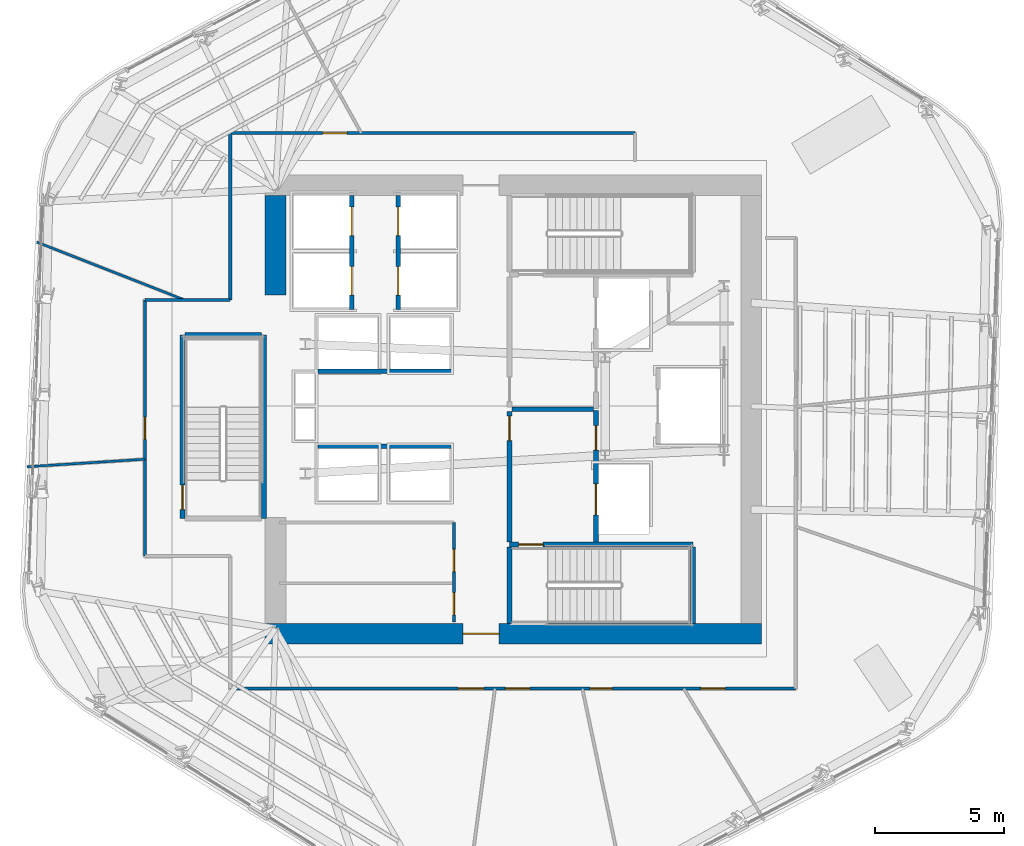
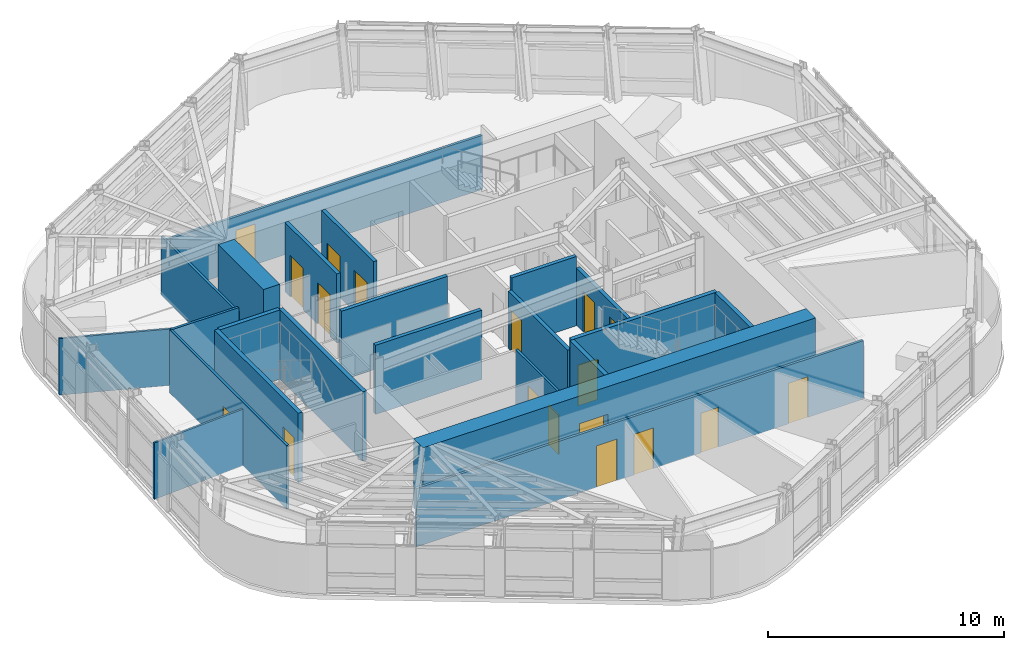
# One storey, part 7 of 14: 23 walls, 18 doors, 18 openings.
"""IFC4 building model written with IfcOpenShell, lengths in metres."""

from ifc_helpers import new_model, si_unit, direction, frame, frame_2d, origin, place, context, subcontext, project, spatial, rectangle, extrude, material, layer, layer_set, type_object, element, fill, save


model = new_model("IFC4")

# Units and contexts
model_context = context("Model", 3, precision=1e-05, world=origin(), true_north=direction((0.0, 1.0)))
body_context = subcontext(model_context, "Body", "Model", "MODEL_VIEW")
ifc_project = project(units=[si_unit("LENGTHUNIT", "METRE"), si_unit("AREAUNIT", "SQUARE_METRE"), si_unit("VOLUMEUNIT", "CUBIC_METRE"), si_unit("PLANEANGLEUNIT", "RADIAN"), si_unit("MASSUNIT", "GRAM", prefix="KILO")], contexts=[model_context])

# Site, building, storey
site_placement = place(None, origin())
site = spatial("IfcSite", under=ifc_project, at=site_placement, CompositionType="ELEMENT")
building_placement = place(site_placement, origin())
building = spatial("IfcBuilding", under=site, at=building_placement, Name="Valkerne Bourse Tower", CompositionType="ELEMENT")
storey_placement = place(building_placement, frame((0.0, 0.0, 143.800048828125)))
storey = spatial("IfcBuildingStorey", under=building, at=storey_placement, Name="L36", CompositionType="ELEMENT", Elevation=143.800048828125)

# Wall, opening, door
ifc_material_1 = material(Name="Concrete C55/67", Category="concrete")
ifc_layer_1 = layer(ifc_material_1, 0.800048828125)
ifc_layer_set_1 = layer_set([ifc_layer_1], Name="Concrete C55/67")
wall_type_1 = type_object("IfcWallType", Name="W-CORE-800", PredefinedType="SHEAR", material=ifc_layer_set_1)
wall_1_placement = place(storey_placement, frame((37.199951171875, 18.199951171875, 0.0), z_axis=(0.0, 0.0, 1.0), x_axis=(1.0, 0.0, 0.0)))
wall_1 = element("IfcWall", 1, at=wall_1_placement, inside=storey, type_object=wall_type_1, Name="L36 Core Shear Wall SOUTH", PredefinedType="SHEAR", context=body_context, shape_type="SweptSolid", body=[
    extrude(rectangle(XDim=19.199951171875, YDim=0.800048828125, at=frame_2d((9.60009765625, 0.0))), origin(), (0.0, 0.0, 1.0), 3.579833984375),
])
opening_1_placement = place(wall_1_placement, frame((7.64990234375, 0.0, 0.0)))
opening_1 = element("IfcOpeningElement", 2, at=opening_1_placement, cuts=wall_1, Name="Opening D-PL-1400", PredefinedType="OPENING", context=body_context, shape_type="SweptSolid", body=[
    extrude(rectangle(XDim=1.39990234375, YDim=2.14990234375, at=frame_2d((0.699951171875, 1.074951171875))), frame((0.0, 0.409912109375, 0.0), z_axis=(0.0, -1.0, 0.0), x_axis=(1.0, 0.0, 0.0)), (0.0, 0.0, 1.0), 0.820068359375),
])
ifc_material_2 = material(Name="Galvanised Painted Steel", Category="steel")
door_type_1 = type_object("IfcDoorType", Name="DR-PLT-1400", OperationType="DOUBLE_DOOR_SINGLE_SWING", PredefinedType="DOOR", material=ifc_material_2)
door_1_placement = place(opening_1_placement, origin())
door_1 = element("IfcDoor", 3, at=door_1_placement, inside=storey, type_object=door_type_1, Name="L36 South Passenger Lift Hall Fire Door", OperationType="DOUBLE_DOOR_SINGLE_SWING", OverallHeight=2.14990234375, OverallWidth=1.39990234375, PredefinedType="DOOR", context=body_context, shape_type="SweptSolid", body=[
    extrude(rectangle(XDim=1.39990234375, YDim=2.14990234375, at=frame_2d((0.699951171875, 1.074951171875))), frame((0.0, 0.02490234375, 0.0), z_axis=(0.0, -1.0, 0.0), x_axis=(1.0, 0.0, 0.0)), (0.0, 0.0, 1.0), 0.050048828125),
])
fill(opening_1, door_1)

# Wall
wall_2_placement = place(storey_placement, frame((37.60009765625, 31.300048828125, 0.0), z_axis=(0.0, 0.0, 1.0), x_axis=(0.0, 1.0, 0.0)))
element("IfcWall", 4, at=wall_2_placement, inside=storey, type_object=wall_type_1, Name="L36 Core Shear Wall WEST-N", PredefinedType="SHEAR", context=body_context, shape_type="SweptSolid", body=[
    extrude(rectangle(XDim=3.849853515625, YDim=0.800048828125, at=frame_2d((1.9248046875, 0.0))), origin(), (0.0, 0.0, 1.0), 3.579833984375),
])

# Wall, openings, doors
ifc_material_3 = material(Name="Gypsum Board Steel-Stud Partition", Category="steel")
ifc_layer_2 = layer(ifc_material_3, 0.117919921875)
ifc_layer_set_2 = layer_set([ifc_layer_2], Name="Gypsum Board Steel-Stud Partition")
wall_type_2 = type_object("IfcWallType", Name="W-CORR-140", PredefinedType="PARTITIONING", material=ifc_layer_set_2)
wall_3_placement = place(storey_placement, frame((44.5, 18.64990234375, 0.0), z_axis=(0.0, 0.0, 1.0), x_axis=(0.0, 1.0, 0.0)))
wall_3 = element("IfcWall", 5, at=wall_3_placement, inside=storey, type_object=wall_type_2, Name="L36 LV7 Low-Bank East Wall", PredefinedType="PARTITIONING", context=body_context, shape_type="SweptSolid", body=[
    extrude(rectangle(XDim=3.85009765625, YDim=0.117919921875, at=frame_2d((1.925048828125, 0.0))), origin(), (0.0, 0.0, 1.0), 3.280029296875),
])
opening_2_placement = place(wall_3_placement, frame((0.280029296875, 0.0, 0.0)))
opening_2 = element("IfcOpeningElement", 6, at=opening_2_placement, cuts=wall_3, Name="Opening D-WC-900", PredefinedType="OPENING", context=body_context, shape_type="SweptSolid", body=[
    extrude(rectangle(XDim=0.860107421875, YDim=2.050048828125, at=frame_2d((0.43017578125, 1.02490234375))), frame((0.0, 0.06884765625, 0.0), z_axis=(0.0, -1.0, 0.0), x_axis=(1.0, 0.0, 0.0)), (0.0, 0.0, 1.0), 0.137939453125),
])
opening_3_placement = place(wall_3_placement, frame((1.949951171875, 0.0, 0.0)))
opening_3 = element("IfcOpeningElement", 7, at=opening_3_placement, cuts=wall_3, Name="Opening D-WC-900", PredefinedType="OPENING", context=body_context, shape_type="SweptSolid", body=[
    extrude(rectangle(XDim=0.860107421875, YDim=2.050048828125, at=frame_2d((0.43017578125, 1.02490234375))), frame((0.0, 0.06884765625, 0.0), z_axis=(0.0, -1.0, 0.0), x_axis=(1.0, 0.0, 0.0)), (0.0, 0.0, 1.0), 0.137939453125),
])
ifc_material_4 = material(Name="Architectural White Oak Timber", Category="wood")
door_type_2 = type_object("IfcDoorType", Name="DR-WC-900", OperationType="NOTDEFINED", PredefinedType="DOOR", material=ifc_material_4)
door_2_placement = place(opening_2_placement, origin())
door_2 = element("IfcDoor", 8, at=door_2_placement, inside=storey, type_object=door_type_2, Name="L36 Tea Pantry Door", OperationType="SINGLE_SWING_RIGHT", OverallHeight=2.050048828125, OverallWidth=0.860107421875, PredefinedType="DOOR", context=body_context, shape_type="SweptSolid", body=[
    extrude(rectangle(XDim=0.860107421875, YDim=2.050048828125, at=frame_2d((0.43017578125, 1.02490234375))), frame((0.0, 0.02490234375, 0.0), z_axis=(0.0, -1.0, 0.0), x_axis=(1.0, 0.0, 0.0)), (0.0, 0.0, 1.0), 0.050048828125),
])
fill(opening_2, door_2)
door_3_placement = place(opening_3_placement, origin())
door_3 = element("IfcDoor", 9, at=door_3_placement, inside=storey, type_object=door_type_2, Name="L36 Portfolio Risk Office Door", OperationType="SINGLE_SWING_RIGHT", OverallHeight=2.050048828125, OverallWidth=0.860107421875, PredefinedType="DOOR", context=body_context, shape_type="SweptSolid", body=[
    extrude(rectangle(XDim=0.860107421875, YDim=2.050048828125, at=frame_2d((0.43017578125, 1.02490234375))), frame((0.0, 0.02490234375, 0.0), z_axis=(0.0, -1.0, 0.0), x_axis=(1.0, 0.0, 0.0)), (0.0, 0.0, 1.0), 0.050048828125),
])
fill(opening_3, door_3)

# Wall, opening, door
wall_4_placement = place(storey_placement, frame((32.550048828125, 21.199951171875, 0.0), z_axis=(0.0, 0.0, 1.0), x_axis=(0.0, 1.0, 0.0)))
wall_4 = element("IfcWall", 10, at=wall_4_placement, inside=storey, type_object=wall_type_2, Name="L36 Corridor Enclosure Wall", PredefinedType="PARTITIONING", context=body_context, shape_type="SweptSolid", body=[
    extrude(rectangle(XDim=9.900146484375, YDim=0.117919921875, at=frame_2d((4.9501953125, 0.0))), origin(), (0.0, 0.0, 1.0), 3.280029296875),
])
opening_4_placement = place(wall_4_placement, frame((4.52001953125, 0.0, 0.0)))
opening_4 = element("IfcOpeningElement", 11, at=opening_4_placement, cuts=wall_4, Name="Opening D-WC-900", PredefinedType="OPENING", context=body_context, shape_type="SweptSolid", body=[
    extrude(rectangle(XDim=0.860107421875, YDim=2.050048828125, at=frame_2d((0.43017578125, 1.02490234375))), frame((0.0, 0.06884765625, 0.0), z_axis=(0.0, -1.0, 0.0), x_axis=(1.0, 0.0, 0.0)), (0.0, 0.0, 1.0), 0.137939453125),
])
door_4_placement = place(opening_4_placement, origin())
door_4 = element("IfcDoor", 12, at=door_4_placement, inside=storey, type_object=door_type_2, Name="L36 L36 Women Restroom & Shower WC 2 Door", OperationType="SINGLE_SWING_RIGHT", OverallHeight=2.050048828125, OverallWidth=0.860107421875, PredefinedType="DOOR", context=body_context, shape_type="SweptSolid", body=[
    extrude(rectangle(XDim=0.860107421875, YDim=2.050048828125, at=frame_2d((0.43017578125, 1.02490234375))), frame((0.0, 0.02490234375, 0.0), z_axis=(0.0, -1.0, 0.0), x_axis=(1.0, 0.0, 0.0)), (0.0, 0.0, 1.0), 0.050048828125),
])
fill(opening_4, door_4)

# Walls
wall_5_placement = place(storey_placement, frame((32.550048828125, 31.10009765625, 0.0), z_axis=(0.0, 0.0, 1.0), x_axis=(1.0, 0.0, 0.0)))
element("IfcWall", 13, at=wall_5_placement, inside=storey, type_object=wall_type_2, Name="L36 Corridor Enclosure Wall", PredefinedType="PARTITIONING", context=body_context, shape_type="SweptSolid", body=[
    extrude(rectangle(XDim=3.300048828125, YDim=0.117919921875, at=frame_2d((1.64990234375, 0.0))), origin(), (0.0, 0.0, 1.0), 3.280029296875),
])
wall_6_placement = place(storey_placement, frame((35.85009765625, 31.10009765625, 0.0), z_axis=(0.0, 0.0, 1.0), x_axis=(0.0, 1.0, 0.0)))
element("IfcWall", 14, at=wall_6_placement, inside=storey, type_object=wall_type_2, Name="L36 Corridor Enclosure Wall", PredefinedType="PARTITIONING", context=body_context, shape_type="SweptSolid", body=[
    extrude(rectangle(XDim=6.4599609375, YDim=0.117919921875, at=frame_2d((3.22998046875, 0.0))), origin(), (0.0, 0.0, 1.0), 3.03662109375),
])

# Wall, opening, door
wall_7_placement = place(storey_placement, frame((35.85009765625, 37.56005859375, 0.0), z_axis=(0.0, 0.0, 1.0), x_axis=(1.0, 0.0, 0.0)))
wall_7 = element("IfcWall", 15, at=wall_7_placement, inside=storey, type_object=wall_type_2, Name="L36 Corridor Enclosure Wall", PredefinedType="PARTITIONING", context=body_context, shape_type="SweptSolid", body=[
    extrude(rectangle(XDim=15.64990234375, YDim=0.117919921875, at=frame_2d((7.824951171875, 0.0))), origin(), (0.0, 0.0, 1.0), 2.80029296875),
])
opening_5_placement = place(wall_7_placement, frame((3.570068359375, 0.0, 0.0)))
opening_5 = element("IfcOpeningElement", 16, at=opening_5_placement, cuts=wall_7, Name="Opening D-OF-950", PredefinedType="OPENING", context=body_context, shape_type="SweptSolid", body=[
    extrude(rectangle(XDim=0.949951171875, YDim=2.10009765625, at=frame_2d((0.47509765625, 1.050048828125))), frame((0.0, 0.06884765625, 0.0), z_axis=(0.0, -1.0, 0.0), x_axis=(1.0, 0.0, 0.0)), (0.0, 0.0, 1.0), 0.137939453125),
])
door_type_3 = type_object("IfcDoorType", Name="DR-OFF-950", OperationType="NOTDEFINED", PredefinedType="DOOR", material=ifc_material_4)
door_5_placement = place(opening_5_placement, origin())
door_5 = element("IfcDoor", 17, at=door_5_placement, inside=storey, type_object=door_type_3, Name="L36 L36 VIP Client Concierge Reception 6 Door", OperationType="SINGLE_SWING_LEFT", OverallHeight=2.10009765625, OverallWidth=0.949951171875, PredefinedType="DOOR", context=body_context, shape_type="SweptSolid", body=[
    extrude(rectangle(XDim=0.949951171875, YDim=2.10009765625, at=frame_2d((0.47509765625, 1.050048828125))), frame((0.0, 0.02490234375, 0.0), z_axis=(0.0, -1.0, 0.0), x_axis=(1.0, 0.0, 0.0)), (0.0, 0.0, 1.0), 0.050048828125),
])
fill(opening_5, door_5)

# Wall, openings, doors
wall_8_placement = place(storey_placement, frame((57.719970703125, 16.080078125, 0.0), z_axis=(0.0, 0.0, 1.0), x_axis=(-1.0, 0.0, 0.0)))
wall_8 = element("IfcWall", 18, at=wall_8_placement, inside=storey, type_object=wall_type_2, Name="L36 Corridor Enclosure Wall", PredefinedType="PARTITIONING", context=body_context, shape_type="SweptSolid", body=[
    extrude(rectangle(XDim=21.869873046875, YDim=0.117919921875, at=frame_2d((10.93505859375, 0.0))), origin(), (0.0, 0.0, 1.0), 3.021240234375),
])
opening_6_placement = place(wall_8_placement, frame((7.0849609375, 0.0, 0.0)))
opening_6 = element("IfcOpeningElement", 19, at=opening_6_placement, cuts=wall_8, Name="Opening D-WC-900", PredefinedType="OPENING", context=body_context, shape_type="SweptSolid", body=[
    extrude(rectangle(XDim=0.860107421875, YDim=2.050048828125, at=frame_2d((0.43017578125, 1.02490234375))), frame((0.0, 0.06884765625, 0.0), z_axis=(0.0, -1.0, 0.0), x_axis=(1.0, 0.0, 0.0)), (0.0, 0.0, 1.0), 0.137939453125),
])
opening_7_placement = place(wall_8_placement, frame((10.280029296875, 0.0, 0.0)))
opening_7 = element("IfcOpeningElement", 20, at=opening_7_placement, cuts=wall_8, Name="Opening D-OF-950", PredefinedType="OPENING", context=body_context, shape_type="SweptSolid", body=[
    extrude(rectangle(XDim=0.949951171875, YDim=2.10009765625, at=frame_2d((0.47509765625, 1.050048828125))), frame((0.0, 0.06884765625, 0.0), z_axis=(0.0, -1.0, 0.0), x_axis=(1.0, 0.0, 0.0)), (0.0, 0.0, 1.0), 0.137939453125),
])
opening_8_placement = place(wall_8_placement, frame((2.719970703125, 0.0, 0.0)))
opening_8 = element("IfcOpeningElement", 21, at=opening_8_placement, cuts=wall_8, Name="Opening D-OF-950", PredefinedType="OPENING", context=body_context, shape_type="SweptSolid", body=[
    extrude(rectangle(XDim=0.949951171875, YDim=2.10009765625, at=frame_2d((0.47509765625, 1.050048828125))), frame((0.0, 0.06884765625, 0.0), z_axis=(0.0, -1.0, 0.0), x_axis=(1.0, 0.0, 0.0)), (0.0, 0.0, 1.0), 0.137939453125),
])
opening_9_placement = place(wall_8_placement, frame((12.054931640625, 0.0, 0.0)))
opening_9 = element("IfcOpeningElement", 22, at=opening_9_placement, cuts=wall_8, Name="Opening D-MG-1000", PredefinedType="OPENING", context=body_context, shape_type="SweptSolid", body=[
    extrude(rectangle(XDim=1.0, YDim=2.14990234375, at=frame_2d((0.5, 1.074951171875))), frame((0.0, 0.06884765625, 0.0), z_axis=(0.0, -1.0, 0.0), x_axis=(1.0, 0.0, 0.0)), (0.0, 0.0, 1.0), 0.137939453125),
])
ifc_material_5 = material(Name="Laminated Tempered Safety Glass", Category="glass")
door_type_4 = type_object("IfcDoorType", Name="DR-MTG-1000", OperationType="NOTDEFINED", PredefinedType="DOOR", material=ifc_material_5)
door_6_placement = place(opening_9_placement, origin())
door_6 = element("IfcDoor", 23, at=door_6_placement, inside=storey, type_object=door_type_4, Name="L36 L36 Client Strategy Conference Room 7 Door", OperationType="SINGLE_SWING_LEFT", OverallHeight=2.14990234375, OverallWidth=1.0, PredefinedType="DOOR", context=body_context, shape_type="SweptSolid", body=[
    extrude(rectangle(XDim=1.0, YDim=2.14990234375, at=frame_2d((0.5, 1.074951171875))), frame((0.0, 0.02490234375, 0.0), z_axis=(0.0, -1.0, 0.0), x_axis=(1.0, 0.0, 0.0)), (0.0, 0.0, 1.0), 0.050048828125),
])
fill(opening_9, door_6)
door_7_placement = place(opening_7_placement, origin())
door_7 = element("IfcDoor", 24, at=door_7_placement, inside=storey, type_object=door_type_3, Name="L36 L36 Occupational Wellness Clinic 3 Door", OperationType="SINGLE_SWING_LEFT", OverallHeight=2.10009765625, OverallWidth=0.949951171875, PredefinedType="DOOR", context=body_context, shape_type="SweptSolid", body=[
    extrude(rectangle(XDim=0.949951171875, YDim=2.10009765625, at=frame_2d((0.47509765625, 1.050048828125))), frame((0.0, 0.02490234375, 0.0), z_axis=(0.0, -1.0, 0.0), x_axis=(1.0, 0.0, 0.0)), (0.0, 0.0, 1.0), 0.050048828125),
])
fill(opening_7, door_7)
door_8_placement = place(opening_8_placement, origin())
door_8 = element("IfcDoor", 25, at=door_8_placement, inside=storey, type_object=door_type_3, Name="L36 L36 VIP Client Concierge Reception 5 Door", OperationType="SINGLE_SWING_LEFT", OverallHeight=2.10009765625, OverallWidth=0.949951171875, PredefinedType="DOOR", context=body_context, shape_type="SweptSolid", body=[
    extrude(rectangle(XDim=0.949951171875, YDim=2.10009765625, at=frame_2d((0.47509765625, 1.050048828125))), frame((0.0, 0.02490234375, 0.0), z_axis=(0.0, -1.0, 0.0), x_axis=(1.0, 0.0, 0.0)), (0.0, 0.0, 1.0), 0.050048828125),
])
fill(opening_8, door_8)
door_9_placement = place(opening_6_placement, origin())
door_9 = element("IfcDoor", 26, at=door_9_placement, inside=storey, type_object=door_type_2, Name="L36 L36 Men Bathroom WC 1 Door", OperationType="SINGLE_SWING_RIGHT", OverallHeight=2.050048828125, OverallWidth=0.860107421875, PredefinedType="DOOR", context=body_context, shape_type="SweptSolid", body=[
    extrude(rectangle(XDim=0.860107421875, YDim=2.050048828125, at=frame_2d((0.43017578125, 1.02490234375))), frame((0.0, 0.02490234375, 0.0), z_axis=(0.0, -1.0, 0.0), x_axis=(1.0, 0.0, 0.0)), (0.0, 0.0, 1.0), 0.050048828125),
])
fill(opening_6, door_9)

# Wall
ifc_material_6 = material(Name="Gypsum Fire-Rated Shaftwall", Category="gypsum")
ifc_layer_3 = layer(ifc_material_6, 0.179931640625)
ifc_layer_set_3 = layer_set([ifc_layer_3], Name="Gypsum Fire-Rated Shaftwall")
wall_type_3 = type_object("IfcWallType", Name="W-FSAE-180", PredefinedType="PARTITIONING", material=ifc_layer_set_3)
wall_9_placement = place(storey_placement, frame((46.739990234375, 26.8798828125, 0.0), z_axis=(0.0, 0.0, 1.0), x_axis=(1.0, 0.0, 0.0)))
element("IfcWall", 27, at=wall_9_placement, inside=storey, type_object=wall_type_3, Name="L36 FSAE-1/2 Lobby Dividing Fire Wall", PredefinedType="PARTITIONING", context=body_context, shape_type="SweptSolid", body=[
    extrude(rectangle(XDim=3.169921875, YDim=0.179931640625, at=frame_2d((1.5849609375, 0.0))), origin(), (0.0, 0.0, 1.0), 3.579833984375),
])

# Wall, opening, door
wall_10_placement = place(storey_placement, frame((46.64990234375, 21.75, 0.0), z_axis=(0.0, 0.0, 1.0), x_axis=(0.0, 1.0, 0.0)))
wall_10 = element("IfcWall", 28, at=wall_10_placement, inside=storey, type_object=wall_type_3, Name="L36 FSAE-1 Lobby West Fire Wall", PredefinedType="PARTITIONING", context=body_context, shape_type="SweptSolid", body=[
    extrude(rectangle(XDim=5.050048828125, YDim=0.179931640625, at=frame_2d((2.52490234375, 0.0))), origin(), (0.0, 0.0, 1.0), 2.957763671875),
])
opening_10_placement = place(wall_10_placement, frame((3.919921875, 0.0, 0.0)))
opening_10 = element("IfcOpeningElement", 29, at=opening_10_placement, cuts=wall_10, Name="Opening D-FS-950", PredefinedType="OPENING", context=body_context, shape_type="SweptSolid", body=[
    extrude(rectangle(XDim=0.949951171875, YDim=2.10009765625, at=frame_2d((0.47509765625, 1.050048828125))), frame((0.0, 0.099853515625, 0.0), z_axis=(0.0, -1.0, 0.0), x_axis=(1.0, 0.0, 0.0)), (0.0, 0.0, 1.0), 0.199951171875),
])
door_type_5 = type_object("IfcDoorType", Name="DR-FSAE-950", OperationType="NOTDEFINED", PredefinedType="DOOR", material=ifc_material_2)
door_10_placement = place(opening_10_placement, origin())
door_10 = element("IfcDoor", 30, at=door_10_placement, inside=storey, type_object=door_type_5, Name="L36 FSAE-1 Hall Link Fire Door", OperationType="SINGLE_SWING_LEFT", OverallHeight=2.10009765625, OverallWidth=0.949951171875, PredefinedType="DOOR", context=body_context, shape_type="SweptSolid", body=[
    extrude(rectangle(XDim=0.949951171875, YDim=2.10009765625, at=frame_2d((0.47509765625, 1.050048828125))), frame((0.0, 0.02490234375, 0.0), z_axis=(0.0, -1.0, 0.0), x_axis=(1.0, 0.0, 0.0)), (0.0, 0.0, 1.0), 0.050048828125),
])
fill(opening_10, door_10)

# Wall, openings, doors
wall_11_placement = place(storey_placement, frame((50.0, 21.75, 0.0), z_axis=(0.0, 0.0, 1.0), x_axis=(0.0, 1.0, 0.0)))
wall_11 = element("IfcWall", 31, at=wall_11_placement, inside=storey, type_object=wall_type_3, Name="L36 FSAE-1 Lobby & Shaft Front Wall", PredefinedType="PARTITIONING", context=body_context, shape_type="SweptSolid", body=[
    extrude(rectangle(XDim=5.090087890625, YDim=0.179931640625, at=frame_2d((2.544921875, 0.0))), origin(), (0.0, 0.0, 1.0), 2.957763671875),
])
opening_11_placement = place(wall_11_placement, frame((1.050048828125, 0.0, 0.0)))
opening_11 = element("IfcOpeningElement", 32, at=opening_11_placement, cuts=wall_11, Name="Opening LD-1200", PredefinedType="OPENING", context=body_context, shape_type="SweptSolid", body=[
    extrude(rectangle(XDim=1.199951171875, YDim=2.14990234375, at=frame_2d((0.60009765625, 1.074951171875))), frame((0.0, 0.099853515625, 0.0), z_axis=(0.0, -1.0, 0.0), x_axis=(1.0, 0.0, 0.0)), (0.0, 0.0, 1.0), 0.199951171875),
])
opening_12_placement = place(wall_11_placement, frame((3.550048828125, 0.0, 0.0)))
opening_12 = element("IfcOpeningElement", 33, at=opening_12_placement, cuts=wall_11, Name="Opening D-FS-950", PredefinedType="OPENING", context=body_context, shape_type="SweptSolid", body=[
    extrude(rectangle(XDim=0.949951171875, YDim=2.10009765625, at=frame_2d((0.47509765625, 1.050048828125))), frame((0.0, 0.099853515625, 0.0), z_axis=(0.0, -1.0, 0.0), x_axis=(1.0, 0.0, 0.0)), (0.0, 0.0, 1.0), 0.199951171875),
])
door_11_placement = place(opening_12_placement, origin())
door_11 = element("IfcDoor", 34, at=door_11_placement, inside=storey, type_object=door_type_5, Name="L36 FSAE-1 Lobby Corridor Fire Door", OperationType="SINGLE_SWING_RIGHT", OverallHeight=2.10009765625, OverallWidth=0.949951171875, PredefinedType="DOOR", context=body_context, shape_type="SweptSolid", body=[
    extrude(rectangle(XDim=0.949951171875, YDim=2.10009765625, at=frame_2d((0.47509765625, 1.050048828125))), frame((0.0, 0.02490234375, 0.0), z_axis=(0.0, -1.0, 0.0), x_axis=(1.0, 0.0, 0.0)), (0.0, 0.0, 1.0), 0.050048828125),
])
fill(opening_12, door_11)
ifc_material_7 = material(Name="Stainless Steel AISI 316", Category="steel")
door_type_6 = type_object("IfcDoorType", Name="DR-LIFT-1200", OperationType="DOUBLE_DOOR_SLIDING", PredefinedType="DOOR", material=ifc_material_7)
door_12_placement = place(opening_11_placement, origin())
door_12 = element("IfcDoor", 35, at=door_12_placement, inside=storey, type_object=door_type_6, Name="L36 FSAE-1 Firefighting Lift Landing Door", OperationType="DOUBLE_DOOR_SLIDING", OverallHeight=2.14990234375, OverallWidth=1.199951171875, PredefinedType="DOOR", context=body_context, shape_type="SweptSolid", body=[
    extrude(rectangle(XDim=1.199951171875, YDim=2.14990234375, at=frame_2d((0.60009765625, 1.074951171875))), frame((0.0, 0.02490234375, 0.0), z_axis=(0.0, -1.0, 0.0), x_axis=(1.0, 0.0, 0.0)), (0.0, 0.0, 1.0), 0.050048828125),
])
fill(opening_11, door_12)

ifc_material_8 = material(Name="CMU Blockwork Masonry 200mm", Category="masonry")
ifc_layer_4 = layer(ifc_material_8, 0.179931640625)
ifc_layer_set_4 = layer_set([ifc_layer_4], Name="CMU Blockwork Masonry 200mm")
wall_type_4 = type_object("IfcWallType", Name="W-LFT-180", PredefinedType="SOLIDWALL", material=ifc_layer_set_4)
wall_12_placement = place(storey_placement, frame((40.550048828125, 30.75, 0.0), z_axis=(0.0, 0.0, 1.0), x_axis=(0.0, 1.0, 0.0)))
wall_12 = element("IfcWall", 36, at=wall_12_placement, inside=storey, type_object=wall_type_4, Name="L36 Mid-Zone West Cars Front Wall", PredefinedType="SOLIDWALL", context=body_context, shape_type="SweptSolid", body=[
    extrude(rectangle(XDim=4.39990234375, YDim=0.179931640625, at=frame_2d((2.199951171875, 0.0))), origin(), (0.0, 0.0, 1.0), 3.579833984375),
])
opening_13_placement = place(wall_12_placement, frame((0.550048828125, 0.0, 0.0)))
opening_13 = element("IfcOpeningElement", 37, at=opening_13_placement, cuts=wall_12, Name="Opening LD-1100", PredefinedType="OPENING", context=body_context, shape_type="SweptSolid", body=[
    extrude(rectangle(XDim=1.10009765625, YDim=2.14990234375, at=frame_2d((0.550048828125, 1.074951171875))), frame((0.0, 0.099853515625, 0.0), z_axis=(0.0, -1.0, 0.0), x_axis=(1.0, 0.0, 0.0)), (0.0, 0.0, 1.0), 0.199951171875),
])
opening_14_placement = place(wall_12_placement, frame((2.85009765625, 0.0, 0.0)))
opening_14 = element("IfcOpeningElement", 38, at=opening_14_placement, cuts=wall_12, Name="Opening LD-1100", PredefinedType="OPENING", context=body_context, shape_type="SweptSolid", body=[
    extrude(rectangle(XDim=1.10009765625, YDim=2.14990234375, at=frame_2d((0.550048828125, 1.074951171875))), frame((0.0, 0.099853515625, 0.0), z_axis=(0.0, -1.0, 0.0), x_axis=(1.0, 0.0, 0.0)), (0.0, 0.0, 1.0), 0.199951171875),
])
door_type_7 = type_object("IfcDoorType", Name="DR-LIFT-1100", OperationType="DOUBLE_DOOR_SLIDING", PredefinedType="DOOR", material=ifc_material_7)
door_13_placement = place(opening_13_placement, origin())
door_13 = element("IfcDoor", 39, at=door_13_placement, inside=storey, type_object=door_type_7, Name="L36 Passenger Lift PL-M1 Sliding Landing Door", OperationType="DOUBLE_DOOR_SLIDING", OverallHeight=2.14990234375, OverallWidth=1.10009765625, PredefinedType="DOOR", context=body_context, shape_type="SweptSolid", body=[
    extrude(rectangle(XDim=1.10009765625, YDim=2.14990234375, at=frame_2d((0.550048828125, 1.074951171875))), frame((0.0, 0.02490234375, 0.0), z_axis=(0.0, -1.0, 0.0), x_axis=(1.0, 0.0, 0.0)), (0.0, 0.0, 1.0), 0.050048828125),
])
fill(opening_13, door_13)
door_14_placement = place(opening_14_placement, origin())
door_14 = element("IfcDoor", 40, at=door_14_placement, inside=storey, type_object=door_type_7, Name="L36 Passenger Lift PL-M2 Sliding Landing Door", OperationType="DOUBLE_DOOR_SLIDING", OverallHeight=2.14990234375, OverallWidth=1.10009765625, PredefinedType="DOOR", context=body_context, shape_type="SweptSolid", body=[
    extrude(rectangle(XDim=1.10009765625, YDim=2.14990234375, at=frame_2d((0.550048828125, 1.074951171875))), frame((0.0, 0.02490234375, 0.0), z_axis=(0.0, -1.0, 0.0), x_axis=(1.0, 0.0, 0.0)), (0.0, 0.0, 1.0), 0.050048828125),
])
fill(opening_14, door_14)

wall_13_placement = place(storey_placement, frame((42.35009765625, 30.75, 0.0), z_axis=(0.0, 0.0, 1.0), x_axis=(0.0, 1.0, 0.0)))
wall_13 = element("IfcWall", 41, at=wall_13_placement, inside=storey, type_object=wall_type_4, Name="L36 Mid-Zone East Cars Front Wall", PredefinedType="SOLIDWALL", context=body_context, shape_type="SweptSolid", body=[
    extrude(rectangle(XDim=4.39990234375, YDim=0.179931640625, at=frame_2d((2.199951171875, 0.0))), origin(), (0.0, 0.0, 1.0), 3.579833984375),
])
opening_15_placement = place(wall_13_placement, frame((0.550048828125, 0.0, 0.0)))
opening_15 = element("IfcOpeningElement", 42, at=opening_15_placement, cuts=wall_13, Name="Opening LD-1100", PredefinedType="OPENING", context=body_context, shape_type="SweptSolid", body=[
    extrude(rectangle(XDim=1.10009765625, YDim=2.14990234375, at=frame_2d((0.550048828125, 1.074951171875))), frame((0.0, 0.099853515625, 0.0), z_axis=(0.0, -1.0, 0.0), x_axis=(1.0, 0.0, 0.0)), (0.0, 0.0, 1.0), 0.199951171875),
])
opening_16_placement = place(wall_13_placement, frame((2.85009765625, 0.0, 0.0)))
opening_16 = element("IfcOpeningElement", 43, at=opening_16_placement, cuts=wall_13, Name="Opening LD-1100", PredefinedType="OPENING", context=body_context, shape_type="SweptSolid", body=[
    extrude(rectangle(XDim=1.10009765625, YDim=2.14990234375, at=frame_2d((0.550048828125, 1.074951171875))), frame((0.0, 0.099853515625, 0.0), z_axis=(0.0, -1.0, 0.0), x_axis=(1.0, 0.0, 0.0)), (0.0, 0.0, 1.0), 0.199951171875),
])
door_15_placement = place(opening_15_placement, origin())
door_15 = element("IfcDoor", 44, at=door_15_placement, inside=storey, type_object=door_type_7, Name="L36 Passenger Lift PL-M3 Sliding Landing Door", OperationType="DOUBLE_DOOR_SLIDING", OverallHeight=2.14990234375, OverallWidth=1.10009765625, PredefinedType="DOOR", context=body_context, shape_type="SweptSolid", body=[
    extrude(rectangle(XDim=1.10009765625, YDim=2.14990234375, at=frame_2d((0.550048828125, 1.074951171875))), frame((0.0, 0.02490234375, 0.0), z_axis=(0.0, -1.0, 0.0), x_axis=(1.0, 0.0, 0.0)), (0.0, 0.0, 1.0), 0.050048828125),
])
fill(opening_15, door_15)
door_16_placement = place(opening_16_placement, origin())
door_16 = element("IfcDoor", 45, at=door_16_placement, inside=storey, type_object=door_type_7, Name="L36 Passenger Lift PL-M4 Sliding Landing Door", OperationType="DOUBLE_DOOR_SLIDING", OverallHeight=2.14990234375, OverallWidth=1.10009765625, PredefinedType="DOOR", context=body_context, shape_type="SweptSolid", body=[
    extrude(rectangle(XDim=1.10009765625, YDim=2.14990234375, at=frame_2d((0.550048828125, 1.074951171875))), frame((0.0, 0.02490234375, 0.0), z_axis=(0.0, -1.0, 0.0), x_axis=(1.0, 0.0, 0.0)), (0.0, 0.0, 1.0), 0.050048828125),
])
fill(opening_16, door_16)

# Walls
for number, where, z_axis, x_axis, name in (
    (46, (39.25, 25.449951171875, 0.0), (0.0, 0.0, 1.0), (1.0, 0.0, 0.0), "L36 High-Zone South Cars Front Wall"),
    (47, (39.25, 28.35009765625, 0.0), (0.0, 0.0, 1.0), (1.0, 0.0, 0.0), "L36 High-Zone North Cars Front Wall"),
):
    element("IfcWall", number, at=place(storey_placement, frame(where, z_axis=z_axis, x_axis=x_axis)), inside=storey, type_object=wall_type_4, Name=name, PredefinedType="SOLIDWALL", context=body_context, shape_type="SweptSolid", body=[
        extrude(rectangle(XDim=5.199951171875, YDim=0.179931640625, at=frame_2d((2.60009765625, 0.0))), origin(), (0.0, 0.0, 1.0), 3.579833984375),
    ])
ifc_layer_5 = layer(ifc_material_3, 0.092041015625)
ifc_layer_set_5 = layer_set([ifc_layer_5], Name="Gypsum Board Steel-Stud Partition")
wall_type_5 = type_object("IfcWallType", Name="W-PART-115", PredefinedType="PARTITIONING", material=ifc_layer_set_5)
wall_14_placement = place(storey_placement, frame((34.097900390625, 31.10498046875, 0.0), z_axis=(0.0, 0.0, 1.0), x_axis=(-0.931242779706, 0.364399348581, 0.0)))
element("IfcWall", 48, at=wall_14_placement, inside=storey, type_object=wall_type_5, Name="L36 Suite Partition P07", PredefinedType="PARTITIONING", context=body_context, shape_type="SweptSolid", body=[
    extrude(rectangle(XDim=6.150390625, YDim=0.092041015625, at=frame_2d((3.0751953125, 0.0))), origin(), (0.0, 0.0, 1.0), 2.92236328125),
])
wall_15_placement = place(storey_placement, frame((32.544921875, 24.94873046875, 0.0), z_axis=(0.0, 0.0, 1.0), x_axis=(-0.997956822443, -0.063891944251, 0.0)))
element("IfcWall", 49, at=wall_15_placement, inside=storey, type_object=wall_type_5, Name="L36 Suite Partition P08", PredefinedType="PARTITIONING", context=body_context, shape_type="SweptSolid", body=[
    extrude(rectangle(XDim=4.55859375, YDim=0.092041015625, at=frame_2d((2.279296875, 0.0))), origin(), (0.0, 0.0, 1.0), 2.92236328125),
])

# Wall, opening, door
ifc_material_9 = material(Name="Concrete C40/50", Category="concrete")
ifc_layer_6 = layer(ifc_material_9, 0.199951171875)
ifc_layer_set_6 = layer_set([ifc_layer_6], Name="Concrete C40/50")
wall_type_6 = type_object("IfcWallType", Name="W-SHF-200", PredefinedType="SHEAR", material=ifc_layer_set_6)
wall_16_placement = place(storey_placement, frame((46.64990234375, 21.64990234375, 0.0), z_axis=(0.0, 0.0, 1.0), x_axis=(1.0, 0.0, 0.0)))
wall_16 = element("IfcWall", 50, at=wall_16_placement, inside=storey, type_object=wall_type_6, Name="L36 Exit Stair ST-1 Structural Shaft Wall North", PredefinedType="SHEAR", context=body_context, shape_type="SweptSolid", body=[
    extrude(rectangle(XDim=7.10009765625, YDim=0.199951171875, at=frame_2d((3.550048828125, 0.0))), origin(), (0.0, 0.0, 1.0), 3.579833984375),
])
opening_17_placement = place(wall_16_placement, frame((0.35009765625, 0.0, 0.0)))
opening_17 = element("IfcOpeningElement", 51, at=opening_17_placement, cuts=wall_16, Name="Opening D-ST-950", PredefinedType="OPENING", context=body_context, shape_type="SweptSolid", body=[
    extrude(rectangle(XDim=0.949951171875, YDim=2.10009765625, at=frame_2d((0.47509765625, 1.050048828125))), frame((0.0, 0.10986328125, 0.0), z_axis=(0.0, -1.0, 0.0), x_axis=(1.0, 0.0, 0.0)), (0.0, 0.0, 1.0), 0.219970703125),
])
door_type_8 = type_object("IfcDoorType", Name="DR-STAIR-950", OperationType="NOTDEFINED", PredefinedType="DOOR", material=ifc_material_2)
door_17_placement = place(opening_17_placement, origin())
door_17 = element("IfcDoor", 52, at=door_17_placement, inside=storey, type_object=door_type_8, Name="L36 Exit Stair ST-1 Door", OperationType="SINGLE_SWING_LEFT", OverallHeight=2.10009765625, OverallWidth=0.949951171875, PredefinedType="DOOR", context=body_context, shape_type="SweptSolid", body=[
    extrude(rectangle(XDim=0.949951171875, YDim=2.10009765625, at=frame_2d((0.47509765625, 1.050048828125))), frame((0.0, 0.02490234375, 0.0), z_axis=(0.0, -1.0, 0.0), x_axis=(1.0, 0.0, 0.0)), (0.0, 0.0, 1.0), 0.050048828125),
])
fill(opening_17, door_17)

# Walls
for number, where, z_axis, x_axis, name in (
    (53, (46.64990234375, 18.60009765625, 0.0), (0.0, 0.0, 1.0), (0.0, 1.0, 0.0), "L36 Exit Stair ST-1 Structural Shaft Wall West"),
    (54, (53.75, 18.60009765625, 0.0), (0.0, 0.0, 1.0), (0.0, 1.0, 0.0), "L36 Exit Stair ST-1 Structural Shaft Wall East"),
):
    element("IfcWall", number, at=place(storey_placement, frame(where, z_axis=z_axis, x_axis=x_axis)), inside=storey, type_object=wall_type_6, Name=name, PredefinedType="SHEAR", context=body_context, shape_type="SweptSolid", body=[
        extrude(rectangle(XDim=2.949951171875, YDim=0.199951171875, at=frame_2d((1.47509765625, 0.0))), origin(), (0.0, 0.0, 1.0), 3.579833984375),
    ])

# Wall, opening, door
wall_17_placement = place(storey_placement, frame((34.0, 22.64990234375, 0.0), z_axis=(0.0, 0.0, 1.0), x_axis=(0.0, 1.0, 0.0)))
wall_17 = element("IfcWall", 55, at=wall_17_placement, inside=storey, type_object=wall_type_6, Name="L36 Exit Stair ST-3 Structural Shaft Wall West", PredefinedType="SHEAR", context=body_context, shape_type="SweptSolid", body=[
    extrude(rectangle(XDim=7.10009765625, YDim=0.199951171875, at=frame_2d((3.550048828125, 0.0))), origin(), (0.0, 0.0, 1.0), 3.579833984375),
])
opening_18_placement = place(wall_17_placement, frame((0.35009765625, 0.0, 0.0)))
opening_18 = element("IfcOpeningElement", 56, at=opening_18_placement, cuts=wall_17, Name="Opening D-ST-950", PredefinedType="OPENING", context=body_context, shape_type="SweptSolid", body=[
    extrude(rectangle(XDim=0.949951171875, YDim=2.10009765625, at=frame_2d((0.47509765625, 1.050048828125))), frame((0.0, 0.10986328125, 0.0), z_axis=(0.0, -1.0, 0.0), x_axis=(1.0, 0.0, 0.0)), (0.0, 0.0, 1.0), 0.219970703125),
])
door_18_placement = place(opening_18_placement, origin())
door_18 = element("IfcDoor", 57, at=door_18_placement, inside=storey, type_object=door_type_8, Name="L36 Exit Stair ST-3 Door", OperationType="SINGLE_SWING_LEFT", OverallHeight=2.10009765625, OverallWidth=0.949951171875, PredefinedType="DOOR", context=body_context, shape_type="SweptSolid", body=[
    extrude(rectangle(XDim=0.949951171875, YDim=2.10009765625, at=frame_2d((0.47509765625, 1.050048828125))), frame((0.0, 0.02490234375, 0.0), z_axis=(0.0, -1.0, 0.0), x_axis=(1.0, 0.0, 0.0)), (0.0, 0.0, 1.0), 0.050048828125),
])
fill(opening_18, door_18)

# Walls
wall_18_placement = place(storey_placement, frame((34.10009765625, 29.75, 0.0), z_axis=(0.0, 0.0, 1.0), x_axis=(1.0, 0.0, 0.0)))
element("IfcWall", 58, at=wall_18_placement, inside=storey, type_object=wall_type_6, Name="L36 Exit Stair ST-3 Structural Shaft Wall North", PredefinedType="SHEAR", context=body_context, shape_type="SweptSolid", body=[
    extrude(rectangle(XDim=2.949951171875, YDim=0.199951171875, at=frame_2d((1.47509765625, 0.0))), origin(), (0.0, 0.0, 1.0), 3.579833984375),
])
wall_19_placement = place(storey_placement, frame((37.14990234375, 22.64990234375, 0.0), z_axis=(0.0, 0.0, 1.0), x_axis=(0.0, 1.0, 0.0)))
element("IfcWall", 59, at=wall_19_placement, inside=storey, type_object=wall_type_6, Name="L36 Exit Stair ST-3 Structural Shaft Wall East", PredefinedType="SHEAR", context=body_context, shape_type="SweptSolid", body=[
    extrude(rectangle(XDim=7.10009765625, YDim=0.199951171875, at=frame_2d((3.550048828125, 0.0))), origin(), (0.0, 0.0, 1.0), 3.579833984375),
])

save(model, "model.ifc")
